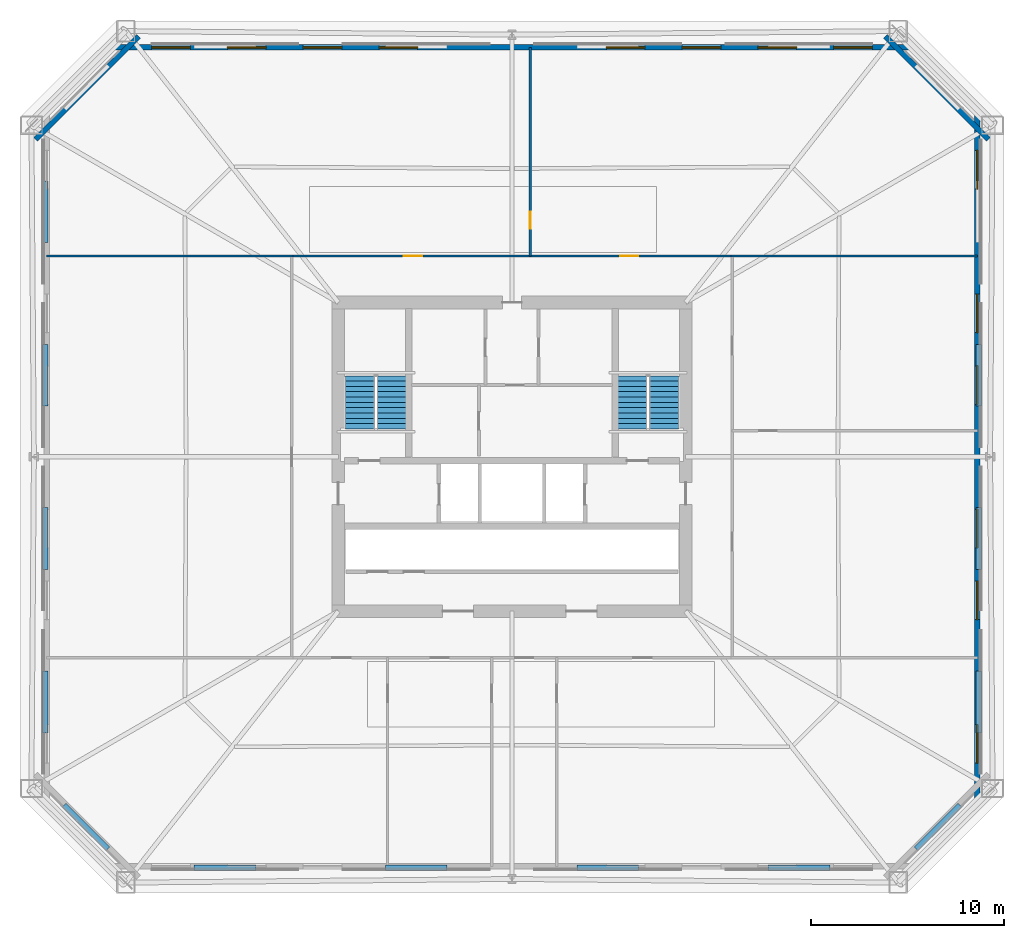
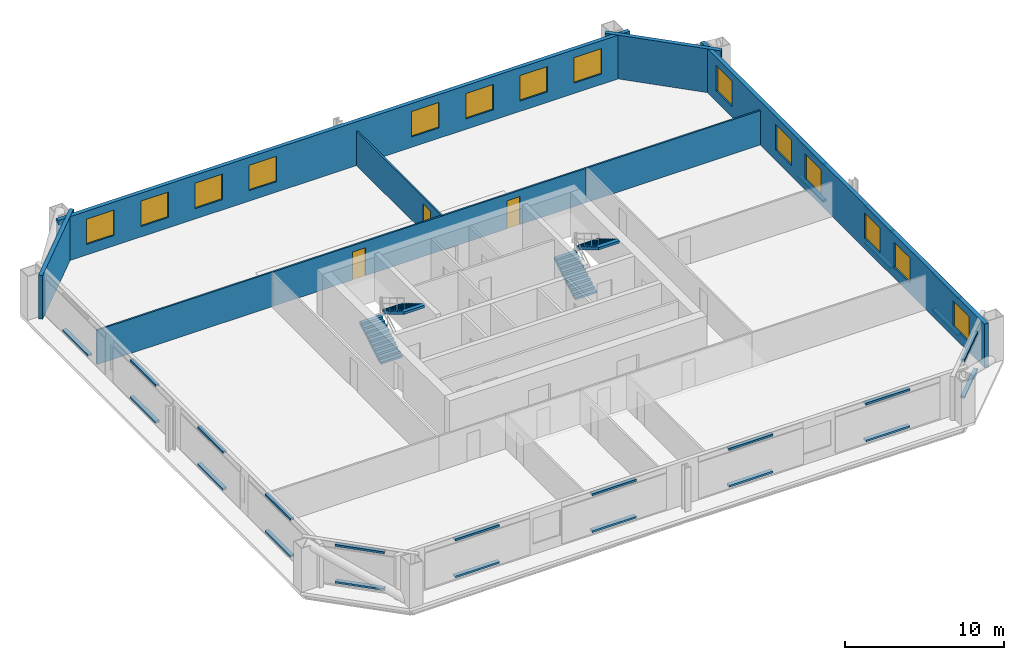
# One storey, part 6 of 9: 25 discrete accessories, 14 windows, 8 walls, 4 stair flights, 3 doors, 17 openings, 2 elements without a shape of their own.
"""IFC4 building model written with IfcOpenShell, lengths in metres."""

from ifc_helpers import new_model, si_unit, direction, frame, frame_2d, origin, origin_2d, place, context, subcontext, project, spatial, polyline, rectangle, outline, extrude, material, layer, layer_set, type_object, element, fill, aggregate, save


model = new_model("IFC4")

# Units and contexts
model_context = context("Model", 3, precision=1e-05, world=origin(), true_north=direction((0.0, 1.0)))
body_context = subcontext(model_context, "Body", "Model", "MODEL_VIEW")
ifc_project = project(units=[si_unit("LENGTHUNIT", "METRE"), si_unit("AREAUNIT", "SQUARE_METRE"), si_unit("VOLUMEUNIT", "CUBIC_METRE"), si_unit("PLANEANGLEUNIT", "RADIAN"), si_unit("MASSUNIT", "GRAM", prefix="KILO")], contexts=[model_context])

# Site, building, storey
site_placement = place(None, origin())
site = spatial("IfcSite", under=ifc_project, at=site_placement, CompositionType="ELEMENT")
building_placement = place(site_placement, origin())
building = spatial("IfcBuilding", under=site, at=building_placement, Name="Caelvoria Tower", CompositionType="ELEMENT")
storey_placement = place(building_placement, frame((0.0, 0.0, 53.199951171875)))
storey = spatial("IfcBuildingStorey", under=building, at=storey_placement, Name="L13", CompositionType="ELEMENT", Elevation=53.199951171875)

# Wall, openings, windows
ifc_material_1 = material(Name="Precast Concrete C40/50 with Bronze Cladding", Category="concrete")
ifc_layer_1 = layer(ifc_material_1, 0.280029296875, Name="Precast Concrete C40/50 with Bronze Cladding")
ifc_layer_set_1 = layer_set([ifc_layer_1], Name="Exterior Precast Concrete C40/50 Bronze-Clad Facade Wall 280 - Precast Concrete C40/50 with Bronze Cladding")
wall_type_1 = type_object("IfcWallType", Name="Exterior Precast Concrete C40/50 Bronze-Clad Facade Wall 280", PredefinedType="STANDARD", material=ifc_layer_set_1)
wall_1_placement = place(storey_placement, frame((70.1201171875, 14.159912109375, 0.0), z_axis=(0.0, 0.0, 1.0), x_axis=(0.0, 1.0, 0.0)))
wall_1 = element("IfcWall", 1, at=wall_1_placement, inside=storey, type_object=wall_type_1, Name="Exterior Facade Wall L13-E2", PredefinedType="STANDARD", context=body_context, shape_type="SweptSolid", body=[
    extrude(rectangle(XDim=35.68017578125, YDim=0.280029296875, at=frame_2d((17.840087890625, 0.0))), origin(), (0.0, 0.0, 1.0), 3.360107421875),
])
opening_1_placement = place(wall_1_placement, frame((1.9599609375, 0.0, 0.800048828125)))
opening_1 = element("IfcOpeningElement", 2, at=opening_1_placement, cuts=wall_1, Name="Opening WN-01", PredefinedType="OPENING", context=body_context, shape_type="SweptSolid", body=[
    extrude(rectangle(XDim=2.0, YDim=1.949951171875, at=frame_2d((1.0, 0.97509765625))), frame((0.0, 0.14990234375, 0.0), z_axis=(0.0, -1.0, 0.0), x_axis=(1.0, 0.0, 0.0)), (0.0, 0.0, 1.0), 0.300048828125),
])
opening_2_placement = place(wall_1_placement, frame((9.39990234375, 0.0, 0.800048828125)))
opening_2 = element("IfcOpeningElement", 3, at=opening_2_placement, cuts=wall_1, Name="Opening WN-01", PredefinedType="OPENING", context=body_context, shape_type="SweptSolid", body=[
    extrude(rectangle(XDim=2.0, YDim=1.949951171875, at=frame_2d((1.0, 0.97509765625))), frame((0.0, 0.14990234375, 0.0), z_axis=(0.0, -1.0, 0.0), x_axis=(1.0, 0.0, 0.0)), (0.0, 0.0, 1.0), 0.300048828125),
])
opening_3_placement = place(wall_1_placement, frame((13.1201171875, 0.0, 0.800048828125)))
opening_3 = element("IfcOpeningElement", 4, at=opening_3_placement, cuts=wall_1, Name="Opening WN-01", PredefinedType="OPENING", context=body_context, shape_type="SweptSolid", body=[
    extrude(rectangle(XDim=2.0, YDim=1.949951171875, at=frame_2d((1.0, 0.97509765625))), frame((0.0, 0.14990234375, 0.0), z_axis=(0.0, -1.0, 0.0), x_axis=(1.0, 0.0, 0.0)), (0.0, 0.0, 1.0), 0.300048828125),
])
opening_4_placement = place(wall_1_placement, frame((20.56005859375, 0.0, 0.800048828125)))
opening_4 = element("IfcOpeningElement", 5, at=opening_4_placement, cuts=wall_1, Name="Opening WN-01", PredefinedType="OPENING", context=body_context, shape_type="SweptSolid", body=[
    extrude(rectangle(XDim=2.0, YDim=1.949951171875, at=frame_2d((1.0, 0.97509765625))), frame((0.0, 0.14990234375, 0.0), z_axis=(0.0, -1.0, 0.0), x_axis=(1.0, 0.0, 0.0)), (0.0, 0.0, 1.0), 0.300048828125),
])
opening_5_placement = place(wall_1_placement, frame((24.280029296875, 0.0, 0.800048828125)))
opening_5 = element("IfcOpeningElement", 6, at=opening_5_placement, cuts=wall_1, Name="Opening WN-01", PredefinedType="OPENING", context=body_context, shape_type="SweptSolid", body=[
    extrude(rectangle(XDim=2.0, YDim=1.949951171875, at=frame_2d((1.0, 0.97509765625))), frame((0.0, 0.14990234375, 0.0), z_axis=(0.0, -1.0, 0.0), x_axis=(1.0, 0.0, 0.0)), (0.0, 0.0, 1.0), 0.300048828125),
])
opening_6_placement = place(wall_1_placement, frame((31.719970703125, 0.0, 0.800048828125)))
opening_6 = element("IfcOpeningElement", 7, at=opening_6_placement, cuts=wall_1, Name="Opening WN-01", PredefinedType="OPENING", context=body_context, shape_type="SweptSolid", body=[
    extrude(rectangle(XDim=2.0, YDim=1.949951171875, at=frame_2d((1.0, 0.97509765625))), frame((0.0, 0.14990234375, 0.0), z_axis=(0.0, -1.0, 0.0), x_axis=(1.0, 0.0, 0.0)), (0.0, 0.0, 1.0), 0.300048828125),
])
ifc_material_2 = material(Name="Low-E Tinted Glass in Bronze Aluminium Frame", Category="aluminium")
window_type = type_object("IfcWindowType", Name="Tower Office Vision Window 2000x1950", PartitioningType="SINGLE_PANEL", PredefinedType="WINDOW", material=ifc_material_2)
window_1_placement = place(opening_1_placement, origin())
window_1 = element("IfcWindow", 8, at=window_1_placement, inside=storey, type_object=window_type, Name="Facade Window L13-E2-00", OverallHeight=1.949951171875, OverallWidth=2.0, PartitioningType="SINGLE_PANEL", PredefinedType="WINDOW", context=body_context, shape_type="SweptSolid", body=[
    extrude(rectangle(XDim=2.0, YDim=1.949951171875, at=frame_2d((1.0, 0.97509765625))), frame((0.0, 0.030029296875, 0.0), z_axis=(0.0, -1.0, 0.0), x_axis=(1.0, 0.0, 0.0)), (0.0, 0.0, 1.0), 0.06005859375),
])
fill(opening_1, window_1)
window_2_placement = place(opening_2_placement, origin())
window_2 = element("IfcWindow", 9, at=window_2_placement, inside=storey, type_object=window_type, Name="Facade Window L13-E2-02", OverallHeight=1.949951171875, OverallWidth=2.0, PartitioningType="SINGLE_PANEL", PredefinedType="WINDOW", context=body_context, shape_type="SweptSolid", body=[
    extrude(rectangle(XDim=2.0, YDim=1.949951171875, at=frame_2d((1.0, 0.97509765625))), frame((0.0, 0.030029296875, 0.0), z_axis=(0.0, -1.0, 0.0), x_axis=(1.0, 0.0, 0.0)), (0.0, 0.0, 1.0), 0.06005859375),
])
fill(opening_2, window_2)
window_3_placement = place(opening_3_placement, origin())
window_3 = element("IfcWindow", 10, at=window_3_placement, inside=storey, type_object=window_type, Name="Facade Window L13-E2-03", OverallHeight=1.949951171875, OverallWidth=2.0, PartitioningType="SINGLE_PANEL", PredefinedType="WINDOW", context=body_context, shape_type="SweptSolid", body=[
    extrude(rectangle(XDim=2.0, YDim=1.949951171875, at=frame_2d((1.0, 0.97509765625))), frame((0.0, 0.030029296875, 0.0), z_axis=(0.0, -1.0, 0.0), x_axis=(1.0, 0.0, 0.0)), (0.0, 0.0, 1.0), 0.06005859375),
])
fill(opening_3, window_3)
window_4_placement = place(opening_4_placement, origin())
window_4 = element("IfcWindow", 11, at=window_4_placement, inside=storey, type_object=window_type, Name="Facade Window L13-E2-05", OverallHeight=1.949951171875, OverallWidth=2.0, PartitioningType="SINGLE_PANEL", PredefinedType="WINDOW", context=body_context, shape_type="SweptSolid", body=[
    extrude(rectangle(XDim=2.0, YDim=1.949951171875, at=frame_2d((1.0, 0.97509765625))), frame((0.0, 0.030029296875, 0.0), z_axis=(0.0, -1.0, 0.0), x_axis=(1.0, 0.0, 0.0)), (0.0, 0.0, 1.0), 0.06005859375),
])
fill(opening_4, window_4)
window_5_placement = place(opening_5_placement, origin())
window_5 = element("IfcWindow", 12, at=window_5_placement, inside=storey, type_object=window_type, Name="Facade Window L13-E2-06", OverallHeight=1.949951171875, OverallWidth=2.0, PartitioningType="SINGLE_PANEL", PredefinedType="WINDOW", context=body_context, shape_type="SweptSolid", body=[
    extrude(rectangle(XDim=2.0, YDim=1.949951171875, at=frame_2d((1.0, 0.97509765625))), frame((0.0, 0.030029296875, 0.0), z_axis=(0.0, -1.0, 0.0), x_axis=(1.0, 0.0, 0.0)), (0.0, 0.0, 1.0), 0.06005859375),
])
fill(opening_5, window_5)
window_6_placement = place(opening_6_placement, origin())
window_6 = element("IfcWindow", 13, at=window_6_placement, inside=storey, type_object=window_type, Name="Facade Window L13-E2-08", OverallHeight=1.949951171875, OverallWidth=2.0, PartitioningType="SINGLE_PANEL", PredefinedType="WINDOW", context=body_context, shape_type="SweptSolid", body=[
    extrude(rectangle(XDim=2.0, YDim=1.949951171875, at=frame_2d((1.0, 0.97509765625))), frame((0.0, 0.030029296875, 0.0), z_axis=(0.0, -1.0, 0.0), x_axis=(1.0, 0.0, 0.0)), (0.0, 0.0, 1.0), 0.06005859375),
])
fill(opening_6, window_6)

# Wall
wall_2_placement = place(storey_placement, frame((70.69384765625, 48.45458984375, 0.0), z_axis=(0.0, 0.0, 1.0), x_axis=(-0.707106781187, 0.707106781187, 0.0)))
element("IfcWall", 14, at=wall_2_placement, inside=storey, type_object=wall_type_1, Name="Exterior Facade Wall L13-E3", PredefinedType="STANDARD", context=body_context, shape_type="SweptSolid", body=[
    extrude(rectangle(XDim=7.551025390625, YDim=0.280029296875, at=frame_2d((3.775390625, 0.0))), origin(), (0.0, 0.0, 1.0), 3.360107421875),
])

# Wall, openings, windows
wall_3_placement = place(storey_placement, frame((66.739990234375, 53.219970703125, 0.0), z_axis=(0.0, 0.0, 1.0), x_axis=(-1.0, 0.0, 0.0)))
wall_3 = element("IfcWall", 15, at=wall_3_placement, inside=storey, type_object=wall_type_1, Name="Exterior Facade Wall L13-E4", PredefinedType="STANDARD", context=body_context, shape_type="SweptSolid", body=[
    extrude(rectangle(XDim=41.47998046875, YDim=0.280029296875, at=frame_2d((20.739990234375, 0.0))), origin(), (0.0, 0.0, 1.0), 3.360107421875),
])
opening_7_placement = place(wall_3_placement, frame((2.06396484375, 0.0, 0.800048828125)))
opening_7 = element("IfcOpeningElement", 16, at=opening_7_placement, cuts=wall_3, Name="Opening WN-01", PredefinedType="OPENING", context=body_context, shape_type="SweptSolid", body=[
    extrude(rectangle(XDim=2.0, YDim=1.949951171875, at=frame_2d((1.0, 0.97509765625))), frame((0.0, 0.14990234375, 0.0), z_axis=(0.0, -1.0, 0.0), x_axis=(1.0, 0.0, 0.0)), (0.0, 0.0, 1.0), 0.300048828125),
])
opening_8_placement = place(wall_3_placement, frame((5.991943359375, 0.0, 0.800048828125)))
opening_8 = element("IfcOpeningElement", 17, at=opening_8_placement, cuts=wall_3, Name="Opening WN-01", PredefinedType="OPENING", context=body_context, shape_type="SweptSolid", body=[
    extrude(rectangle(XDim=2.0, YDim=1.949951171875, at=frame_2d((1.0, 0.97509765625))), frame((0.0, 0.14990234375, 0.0), z_axis=(0.0, -1.0, 0.0), x_axis=(1.0, 0.0, 0.0)), (0.0, 0.0, 1.0), 0.300048828125),
])
opening_9_placement = place(wall_3_placement, frame((9.919921875, 0.0, 0.800048828125)))
opening_9 = element("IfcOpeningElement", 18, at=opening_9_placement, cuts=wall_3, Name="Opening WN-01", PredefinedType="OPENING", context=body_context, shape_type="SweptSolid", body=[
    extrude(rectangle(XDim=2.0, YDim=1.949951171875, at=frame_2d((1.0, 0.97509765625))), frame((0.0, 0.14990234375, 0.0), z_axis=(0.0, -1.0, 0.0), x_axis=(1.0, 0.0, 0.0)), (0.0, 0.0, 1.0), 0.300048828125),
])
opening_10_placement = place(wall_3_placement, frame((13.847900390625, 0.0, 0.800048828125)))
opening_10 = element("IfcOpeningElement", 19, at=opening_10_placement, cuts=wall_3, Name="Opening WN-01", PredefinedType="OPENING", context=body_context, shape_type="SweptSolid", body=[
    extrude(rectangle(XDim=2.0, YDim=1.949951171875, at=frame_2d((1.0, 0.97509765625))), frame((0.0, 0.14990234375, 0.0), z_axis=(0.0, -1.0, 0.0), x_axis=(1.0, 0.0, 0.0)), (0.0, 0.0, 1.0), 0.300048828125),
])
opening_11_placement = place(wall_3_placement, frame((25.632080078125, 0.0, 0.800048828125)))
opening_11 = element("IfcOpeningElement", 20, at=opening_11_placement, cuts=wall_3, Name="Opening WN-01", PredefinedType="OPENING", context=body_context, shape_type="SweptSolid", body=[
    extrude(rectangle(XDim=2.0, YDim=1.949951171875, at=frame_2d((1.0, 0.97509765625))), frame((0.0, 0.14990234375, 0.0), z_axis=(0.0, -1.0, 0.0), x_axis=(1.0, 0.0, 0.0)), (0.0, 0.0, 1.0), 0.300048828125),
])
opening_12_placement = place(wall_3_placement, frame((29.56005859375, 0.0, 0.800048828125)))
opening_12 = element("IfcOpeningElement", 21, at=opening_12_placement, cuts=wall_3, Name="Opening WN-01", PredefinedType="OPENING", context=body_context, shape_type="SweptSolid", body=[
    extrude(rectangle(XDim=2.0, YDim=1.949951171875, at=frame_2d((1.0, 0.97509765625))), frame((0.0, 0.14990234375, 0.0), z_axis=(0.0, -1.0, 0.0), x_axis=(1.0, 0.0, 0.0)), (0.0, 0.0, 1.0), 0.300048828125),
])
opening_13_placement = place(wall_3_placement, frame((33.488037109375, 0.0, 0.800048828125)))
opening_13 = element("IfcOpeningElement", 22, at=opening_13_placement, cuts=wall_3, Name="Opening WN-01", PredefinedType="OPENING", context=body_context, shape_type="SweptSolid", body=[
    extrude(rectangle(XDim=2.0, YDim=1.949951171875, at=frame_2d((1.0, 0.97509765625))), frame((0.0, 0.14990234375, 0.0), z_axis=(0.0, -1.0, 0.0), x_axis=(1.0, 0.0, 0.0)), (0.0, 0.0, 1.0), 0.300048828125),
])
opening_14_placement = place(wall_3_placement, frame((37.416015625, 0.0, 0.800048828125)))
opening_14 = element("IfcOpeningElement", 23, at=opening_14_placement, cuts=wall_3, Name="Opening WN-01", PredefinedType="OPENING", context=body_context, shape_type="SweptSolid", body=[
    extrude(rectangle(XDim=2.0, YDim=1.949951171875, at=frame_2d((1.0, 0.97509765625))), frame((0.0, 0.14990234375, 0.0), z_axis=(0.0, -1.0, 0.0), x_axis=(1.0, 0.0, 0.0)), (0.0, 0.0, 1.0), 0.300048828125),
])
window_7_placement = place(opening_7_placement, origin())
window_7 = element("IfcWindow", 24, at=window_7_placement, inside=storey, type_object=window_type, Name="Facade Window L13-E4-00", OverallHeight=1.949951171875, OverallWidth=2.0, PartitioningType="SINGLE_PANEL", PredefinedType="WINDOW", context=body_context, shape_type="SweptSolid", body=[
    extrude(rectangle(XDim=2.0, YDim=1.949951171875, at=frame_2d((1.0, 0.97509765625))), frame((0.0, 0.030029296875, 0.0), z_axis=(0.0, -1.0, 0.0), x_axis=(1.0, 0.0, 0.0)), (0.0, 0.0, 1.0), 0.06005859375),
])
fill(opening_7, window_7)
window_8_placement = place(opening_8_placement, origin())
window_8 = element("IfcWindow", 25, at=window_8_placement, inside=storey, type_object=window_type, Name="Facade Window L13-E4-01", OverallHeight=1.949951171875, OverallWidth=2.0, PartitioningType="SINGLE_PANEL", PredefinedType="WINDOW", context=body_context, shape_type="SweptSolid", body=[
    extrude(rectangle(XDim=2.0, YDim=1.949951171875, at=frame_2d((1.0, 0.97509765625))), frame((0.0, 0.030029296875, 0.0), z_axis=(0.0, -1.0, 0.0), x_axis=(1.0, 0.0, 0.0)), (0.0, 0.0, 1.0), 0.06005859375),
])
fill(opening_8, window_8)
window_9_placement = place(opening_9_placement, origin())
window_9 = element("IfcWindow", 26, at=window_9_placement, inside=storey, type_object=window_type, Name="Facade Window L13-E4-02", OverallHeight=1.949951171875, OverallWidth=2.0, PartitioningType="SINGLE_PANEL", PredefinedType="WINDOW", context=body_context, shape_type="SweptSolid", body=[
    extrude(rectangle(XDim=2.0, YDim=1.949951171875, at=frame_2d((1.0, 0.97509765625))), frame((0.0, 0.030029296875, 0.0), z_axis=(0.0, -1.0, 0.0), x_axis=(1.0, 0.0, 0.0)), (0.0, 0.0, 1.0), 0.06005859375),
])
fill(opening_9, window_9)
window_10_placement = place(opening_10_placement, origin())
window_10 = element("IfcWindow", 27, at=window_10_placement, inside=storey, type_object=window_type, Name="Facade Window L13-E4-03", OverallHeight=1.949951171875, OverallWidth=2.0, PartitioningType="SINGLE_PANEL", PredefinedType="WINDOW", context=body_context, shape_type="SweptSolid", body=[
    extrude(rectangle(XDim=2.0, YDim=1.949951171875, at=frame_2d((1.0, 0.97509765625))), frame((0.0, 0.030029296875, 0.0), z_axis=(0.0, -1.0, 0.0), x_axis=(1.0, 0.0, 0.0)), (0.0, 0.0, 1.0), 0.06005859375),
])
fill(opening_10, window_10)
window_11_placement = place(opening_11_placement, origin())
window_11 = element("IfcWindow", 28, at=window_11_placement, inside=storey, type_object=window_type, Name="Facade Window L13-E4-06", OverallHeight=1.949951171875, OverallWidth=2.0, PartitioningType="SINGLE_PANEL", PredefinedType="WINDOW", context=body_context, shape_type="SweptSolid", body=[
    extrude(rectangle(XDim=2.0, YDim=1.949951171875, at=frame_2d((1.0, 0.97509765625))), frame((0.0, 0.030029296875, 0.0), z_axis=(0.0, -1.0, 0.0), x_axis=(1.0, 0.0, 0.0)), (0.0, 0.0, 1.0), 0.06005859375),
])
fill(opening_11, window_11)
window_12_placement = place(opening_12_placement, origin())
window_12 = element("IfcWindow", 29, at=window_12_placement, inside=storey, type_object=window_type, Name="Facade Window L13-E4-07", OverallHeight=1.949951171875, OverallWidth=2.0, PartitioningType="SINGLE_PANEL", PredefinedType="WINDOW", context=body_context, shape_type="SweptSolid", body=[
    extrude(rectangle(XDim=2.0, YDim=1.949951171875, at=frame_2d((1.0, 0.97509765625))), frame((0.0, 0.030029296875, 0.0), z_axis=(0.0, -1.0, 0.0), x_axis=(1.0, 0.0, 0.0)), (0.0, 0.0, 1.0), 0.06005859375),
])
fill(opening_12, window_12)
window_13_placement = place(opening_13_placement, origin())
window_13 = element("IfcWindow", 30, at=window_13_placement, inside=storey, type_object=window_type, Name="Facade Window L13-E4-08", OverallHeight=1.949951171875, OverallWidth=2.0, PartitioningType="SINGLE_PANEL", PredefinedType="WINDOW", context=body_context, shape_type="SweptSolid", body=[
    extrude(rectangle(XDim=2.0, YDim=1.949951171875, at=frame_2d((1.0, 0.97509765625))), frame((0.0, 0.030029296875, 0.0), z_axis=(0.0, -1.0, 0.0), x_axis=(1.0, 0.0, 0.0)), (0.0, 0.0, 1.0), 0.06005859375),
])
fill(opening_13, window_13)
window_14_placement = place(opening_14_placement, origin())
window_14 = element("IfcWindow", 31, at=window_14_placement, inside=storey, type_object=window_type, Name="Facade Window L13-E4-09", OverallHeight=1.949951171875, OverallWidth=2.0, PartitioningType="SINGLE_PANEL", PredefinedType="WINDOW", context=body_context, shape_type="SweptSolid", body=[
    extrude(rectangle(XDim=2.0, YDim=1.949951171875, at=frame_2d((1.0, 0.97509765625))), frame((0.0, 0.030029296875, 0.0), z_axis=(0.0, -1.0, 0.0), x_axis=(1.0, 0.0, 0.0)), (0.0, 0.0, 1.0), 0.06005859375),
])
fill(opening_14, window_14)

# Wall
wall_4_placement = place(storey_placement, frame((26.6455078125, 53.7939453125, 0.0), z_axis=(0.0, 0.0, 1.0), x_axis=(-0.707106781187, -0.707106781187, 0.0)))
element("IfcWall", 32, at=wall_4_placement, inside=storey, type_object=wall_type_1, Name="Exterior Facade Wall L13-E5", PredefinedType="STANDARD", context=body_context, shape_type="SweptSolid", body=[
    extrude(rectangle(XDim=7.551025390625, YDim=0.280029296875, at=frame_2d((3.775390625, 0.0))), origin(), (0.0, 0.0, 1.0), 3.360107421875),
])

# Wall, opening, door
ifc_material_3 = material(Name="Acoustic Gypsum Board on Light-Gauge Stud", Category="gypsum")
ifc_layer_2 = layer(ifc_material_3, 0.1201171875, Name="Acoustic Gypsum Board on Light-Gauge Stud")
ifc_layer_set_2 = layer_set([ifc_layer_2], Name="Tenant Suite Acoustic Partition Wall 120 - Acoustic Gypsum Board on Light-Gauge Stud")
wall_type_2 = type_object("IfcWallType", Name="Tenant Suite Acoustic Partition Wall 120", PredefinedType="PARTITIONING", material=ifc_layer_set_2)
wall_5_placement = place(storey_placement, frame((46.9501953125, 42.409912109375, 0.0), z_axis=(0.0, 0.0, 1.0), x_axis=(0.0, 1.0, 0.0)))
wall_5 = element("IfcWall", 33, at=wall_5_placement, inside=storey, type_object=wall_type_2, Name="Interior Partition IW-L13-ND-00-0", PredefinedType="PARTITIONING", context=body_context, shape_type="SweptSolid", body=[
    extrude(rectangle(XDim=10.81005859375, YDim=0.1201171875, at=frame_2d((5.405029296875, 0.0))), origin(), (0.0, 0.0, 1.0), 2.64013671875),
])
opening_15_placement = place(wall_5_placement, frame((1.39990234375, 0.0, 0.0)))
opening_15 = element("IfcOpeningElement", 34, at=opening_15_placement, cuts=wall_5, Name="Opening ID-06", PredefinedType="OPENING", context=body_context, shape_type="SweptSolid", body=[
    extrude(rectangle(XDim=0.89990234375, YDim=2.14990234375, at=frame_2d((0.449951171875, 1.074951171875))), frame((0.0, 0.070068359375, 0.0), z_axis=(0.0, -1.0, 0.0), x_axis=(1.0, 0.0, 0.0)), (0.0, 0.0, 1.0), 0.14013671875),
])
ifc_material_4 = material(Name="Engineered Andean Oak Veneer Door", Category="wood")
door_type_1 = type_object("IfcDoorType", Name="Interior Timber Door 900x2150", OperationType="NOTDEFINED", PredefinedType="DOOR", material=ifc_material_4)
door_1_placement = place(opening_15_placement, origin())
door_1 = element("IfcDoor", 35, at=door_1_placement, inside=storey, type_object=door_type_1, Name="Interior Door DR-L13-NM-00-0", OperationType="SINGLE_SWING_RIGHT", OverallHeight=2.14990234375, OverallWidth=0.89990234375, PredefinedType="DOOR", context=body_context, shape_type="SweptSolid", body=[
    extrude(rectangle(XDim=0.89990234375, YDim=2.14990234375, at=frame_2d((0.449951171875, 1.074951171875))), frame((0.0, 0.02490234375, 0.0), z_axis=(0.0, -1.0, 0.0), x_axis=(1.0, 0.0, 0.0)), (0.0, 0.0, 1.0), 0.050048828125),
])
fill(opening_15, door_1)

# Wall, openings, doors
wall_6_placement = place(storey_placement, frame((34.64990234375, 42.409912109375, 0.0), z_axis=(0.0, 0.0, 1.0), x_axis=(1.0, 0.0, 0.0)))
wall_6 = element("IfcWall", 36, at=wall_6_placement, inside=storey, type_object=wall_type_2, Name="Interior Partition IW-L13-NCW-0", PredefinedType="PARTITIONING", context=body_context, shape_type="SweptSolid", body=[
    extrude(rectangle(XDim=22.7001953125, YDim=0.1201171875, at=frame_2d((11.35009765625, 0.0))), origin(), (0.0, 0.0, 1.0), 2.64013671875),
])
opening_16_placement = place(wall_6_placement, frame((5.7451171875, 0.0, 0.0)))
opening_16 = element("IfcOpeningElement", 37, at=opening_16_placement, cuts=wall_6, Name="Opening ID-05", PredefinedType="OPENING", context=body_context, shape_type="SweptSolid", body=[
    extrude(rectangle(XDim=0.949951171875, YDim=2.14990234375, at=frame_2d((0.47509765625, 1.074951171875))), frame((0.0, 0.070068359375, 0.0), z_axis=(0.0, -1.0, 0.0), x_axis=(1.0, 0.0, 0.0)), (0.0, 0.0, 1.0), 0.14013671875),
])
opening_17_placement = place(wall_6_placement, frame((16.955078125, 0.0, 0.0)))
opening_17 = element("IfcOpeningElement", 38, at=opening_17_placement, cuts=wall_6, Name="Opening ID-05", PredefinedType="OPENING", context=body_context, shape_type="SweptSolid", body=[
    extrude(rectangle(XDim=0.949951171875, YDim=2.14990234375, at=frame_2d((0.47509765625, 1.074951171875))), frame((0.0, 0.070068359375, 0.0), z_axis=(0.0, -1.0, 0.0), x_axis=(1.0, 0.0, 0.0)), (0.0, 0.0, 1.0), 0.14013671875),
])
door_type_2 = type_object("IfcDoorType", Name="Interior Timber Door 950x2150", OperationType="NOTDEFINED", PredefinedType="DOOR", material=ifc_material_4)
door_2_placement = place(opening_16_placement, origin())
door_2 = element("IfcDoor", 39, at=door_2_placement, inside=storey, type_object=door_type_2, Name="Interior Door DR-L13-NC-00-0", OperationType="SINGLE_SWING_RIGHT", OverallHeight=2.14990234375, OverallWidth=0.949951171875, PredefinedType="DOOR", context=body_context, shape_type="SweptSolid", body=[
    extrude(rectangle(XDim=0.949951171875, YDim=2.14990234375, at=frame_2d((0.47509765625, 1.074951171875))), frame((0.0, 0.02490234375, 0.0), z_axis=(0.0, -1.0, 0.0), x_axis=(1.0, 0.0, 0.0)), (0.0, 0.0, 1.0), 0.050048828125),
])
fill(opening_16, door_2)
door_3_placement = place(opening_17_placement, origin())
door_3 = element("IfcDoor", 40, at=door_3_placement, inside=storey, type_object=door_type_2, Name="Interior Door DR-L13-NC-01-0", OperationType="SINGLE_SWING_LEFT", OverallHeight=2.14990234375, OverallWidth=0.949951171875, PredefinedType="DOOR", context=body_context, shape_type="SweptSolid", body=[
    extrude(rectangle(XDim=0.949951171875, YDim=2.14990234375, at=frame_2d((0.47509765625, 1.074951171875))), frame((0.0, 0.02490234375, 0.0), z_axis=(0.0, -1.0, 0.0), x_axis=(1.0, 0.0, 0.0)), (0.0, 0.0, 1.0), 0.050048828125),
])
fill(opening_17, door_3)

# Walls
for number, where, z_axis, x_axis, name in (
    (41, (34.64990234375, 42.409912109375, 0.0), (0.0, 0.0, 1.0), (-1.0, 0.0, 0.0), "Interior Partition IW-L13-BNW-0"),
    (42, (57.35009765625, 42.409912109375, 0.0), (0.0, 0.0, 1.0), (1.0, 0.0, 0.0), "Interior Partition IW-L13-BNE-0"),
):
    element("IfcWall", number, at=place(storey_placement, frame(where, z_axis=z_axis, x_axis=x_axis)), inside=storey, type_object=wall_type_2, Name=name, PredefinedType="PARTITIONING", context=body_context, shape_type="SweptSolid", body=[
        extrude(rectangle(XDim=12.77001953125, YDim=0.1201171875, at=frame_2d((6.385009765625, 0.0))), origin(), (0.0, 0.0, 1.0), 2.64013671875),
    ])

# Stair, stair flights
ifc_material_5 = material(Name="Concrete C40/50", Category="concrete")
stair_type = type_object("IfcStairType", Name="Core Smokeproof Dogleg Stair Concrete C40/50", PredefinedType="HALF_TURN_STAIR", material=ifc_material_5)
stair_1_placement = place(storey_placement, origin())
stair_1 = element("IfcStair", 43, at=stair_1_placement, inside=storey, type_object=stair_type, Name="ST-01 Smokeproof Exit Stair L13", PredefinedType="HALF_TURN_STAIR")
ifc_material_6 = material(Name="Precast Concrete C40/50", Category="concrete")
stair_flight_type = type_object("IfcStairFlightType", Name="Precast Concrete C40/50 Stair Flight 1480", PredefinedType="STRAIGHT", material=ifc_material_6)
stair_flight_1_placement = place(storey_placement, frame((38.1298828125, 33.449951171875, 0.0), z_axis=(0.0, 0.0, 1.0), x_axis=(0.0, 1.0, 0.0)))
stair_flight_1 = element("IfcStairFlight", 44, at=stair_flight_1_placement, type_object=stair_flight_type, Name="ST-01 flight 1", NumberOfRisers=11, NumberOfTreads=10, PredefinedType="STRAIGHT", RiserHeight=0.1636, TreadLength=0.275, context=body_context, shape_type="SweptSolid", body=[
    extrude(outline(polyline([(0.0, 0.0), (0.0, 0.16357421875), (0.27490234375, 0.16357421875), (0.27490234375, 0.3271484375), (0.550048828125, 0.3271484375), (0.550048828125, 0.49072265625), (0.824951171875, 0.49072265625), (0.824951171875, 0.654296875), (1.10009765625, 0.654296875), (1.10009765625, 0.818115234375), (1.375, 0.818115234375), (1.375, 0.981689453125), (1.64990234375, 0.981689453125), (1.64990234375, 1.145263671875), (1.925048828125, 1.145263671875), (1.925048828125, 1.308837890625), (2.199951171875, 1.308837890625), (2.199951171875, 1.472412109375), (2.47509765625, 1.472412109375), (2.47509765625, 1.635986328125), (2.75, 1.635986328125), (2.75, 1.799560546875), (2.75, 1.449951171875), (0.312744140625, 0.0), (0.0, 0.0)])), frame((0.0, 0.77001953125, 0.0), z_axis=(0.0, -1.0, 0.0), x_axis=(1.0, 0.0, 0.0)), (0.0, 0.0, 1.0), 1.5400390625),
])
stair_flight_2_placement = place(storey_placement, frame((39.77001953125, 36.199951171875, 1.800048828125), z_axis=(0.0, 0.0, 1.0), x_axis=(0.0, -1.0, 0.0)))
stair_flight_2 = element("IfcStairFlight", 45, at=stair_flight_2_placement, type_object=stair_flight_type, Name="ST-01 flight 2", NumberOfRisers=11, NumberOfTreads=10, PredefinedType="STRAIGHT", RiserHeight=0.1636, TreadLength=0.275, context=body_context, shape_type="SweptSolid", body=[
    extrude(outline(polyline([(0.0, 0.0), (0.0, 0.16357421875), (0.27490234375, 0.16357421875), (0.27490234375, 0.3271484375), (0.550048828125, 0.3271484375), (0.550048828125, 0.49072265625), (0.824951171875, 0.49072265625), (0.824951171875, 0.654296875), (1.10009765625, 0.654296875), (1.10009765625, 0.818115234375), (1.375, 0.818115234375), (1.375, 0.981689453125), (1.64990234375, 0.981689453125), (1.64990234375, 1.145263671875), (1.925048828125, 1.145263671875), (1.925048828125, 1.308837890625), (2.199951171875, 1.308837890625), (2.199951171875, 1.472412109375), (2.47509765625, 1.472412109375), (2.47509765625, 1.635986328125), (2.75, 1.635986328125), (2.75, 1.799560546875), (2.75, 1.449951171875), (0.312744140625, 0.0), (0.0, 0.0)])), frame((0.0, 0.77001953125, 0.0), z_axis=(0.0, -1.0, 0.0), x_axis=(1.0, 0.0, 0.0)), (0.0, 0.0, 1.0), 1.5400390625),
])
aggregate(stair_1, [stair_flight_1, stair_flight_2])

stair_2_placement = place(storey_placement, origin())
stair_2 = element("IfcStair", 46, at=stair_2_placement, inside=storey, type_object=stair_type, Name="ST-02 Smokeproof Exit Stair L13", PredefinedType="HALF_TURN_STAIR")
stair_flight_3_placement = place(storey_placement, frame((52.22998046875, 33.449951171875, 0.0), z_axis=(0.0, 0.0, 1.0), x_axis=(0.0, 1.0, 0.0)))
stair_flight_3 = element("IfcStairFlight", 47, at=stair_flight_3_placement, type_object=stair_flight_type, Name="ST-02 flight 1", NumberOfRisers=11, NumberOfTreads=10, PredefinedType="STRAIGHT", RiserHeight=0.1636, TreadLength=0.275, context=body_context, shape_type="SweptSolid", body=[
    extrude(outline(polyline([(0.0, 0.0), (0.0, 0.16357421875), (0.27490234375, 0.16357421875), (0.27490234375, 0.3271484375), (0.550048828125, 0.3271484375), (0.550048828125, 0.49072265625), (0.824951171875, 0.49072265625), (0.824951171875, 0.654296875), (1.10009765625, 0.654296875), (1.10009765625, 0.818115234375), (1.375, 0.818115234375), (1.375, 0.981689453125), (1.64990234375, 0.981689453125), (1.64990234375, 1.145263671875), (1.925048828125, 1.145263671875), (1.925048828125, 1.308837890625), (2.199951171875, 1.308837890625), (2.199951171875, 1.472412109375), (2.47509765625, 1.472412109375), (2.47509765625, 1.635986328125), (2.75, 1.635986328125), (2.75, 1.799560546875), (2.75, 1.449951171875), (0.312744140625, 0.0), (0.0, 0.0)])), frame((0.0, 0.77001953125, 0.0), z_axis=(0.0, -1.0, 0.0), x_axis=(1.0, 0.0, 0.0)), (0.0, 0.0, 1.0), 1.5400390625),
])
stair_flight_4_placement = place(storey_placement, frame((53.8701171875, 36.199951171875, 1.800048828125), z_axis=(0.0, 0.0, 1.0), x_axis=(0.0, -1.0, 0.0)))
stair_flight_4 = element("IfcStairFlight", 48, at=stair_flight_4_placement, type_object=stair_flight_type, Name="ST-02 flight 2", NumberOfRisers=11, NumberOfTreads=10, PredefinedType="STRAIGHT", RiserHeight=0.1636, TreadLength=0.275, context=body_context, shape_type="SweptSolid", body=[
    extrude(outline(polyline([(0.0, 0.0), (0.0, 0.16357421875), (0.27490234375, 0.16357421875), (0.27490234375, 0.3271484375), (0.550048828125, 0.3271484375), (0.550048828125, 0.49072265625), (0.824951171875, 0.49072265625), (0.824951171875, 0.654296875), (1.10009765625, 0.654296875), (1.10009765625, 0.818115234375), (1.375, 0.818115234375), (1.375, 0.981689453125), (1.64990234375, 0.981689453125), (1.64990234375, 1.145263671875), (1.925048828125, 1.145263671875), (1.925048828125, 1.308837890625), (2.199951171875, 1.308837890625), (2.199951171875, 1.472412109375), (2.47509765625, 1.472412109375), (2.47509765625, 1.635986328125), (2.75, 1.635986328125), (2.75, 1.799560546875), (2.75, 1.449951171875), (0.312744140625, 0.0), (0.0, 0.0)])), frame((0.0, 0.77001953125, 0.0), z_axis=(0.0, -1.0, 0.0), x_axis=(1.0, 0.0, 0.0)), (0.0, 0.0, 1.0), 1.5400390625),
])
aggregate(stair_2, [stair_flight_3, stair_flight_4])

# Discrete accessories
ifc_material_7 = material(Name="Anodised Bronze Stainless Bracket", Category="bronze")
discrete_accessory_type = type_object("IfcDiscreteAccessoryType", Name="Solar Screen Outrigger Support Bracket", PredefinedType="BRACKET", material=ifc_material_7)
for number, where, z_axis, x_axis, name in (
    (49, (31.1201171875, 10.702880859375, 0.240234375), (0.0, 0.0, 1.0), (1.0, 0.0, 0.0), "Solar Screen Bracket L13-E0-00"),
    (50, (31.1201171875, 10.702880859375, 3.06005859375), (0.0, 0.0, 1.0), (1.0, 0.0, 0.0), "Upper Screen Band Bracket L13-E0-00"),
    (51, (41.0400390625, 10.702880859375, 0.240234375), (0.0, 0.0, 1.0), (1.0, 0.0, 0.0), "Solar Screen Bracket L13-E0-01"),
    (52, (41.0400390625, 10.702880859375, 3.06005859375), (0.0, 0.0, 1.0), (1.0, 0.0, 0.0), "Upper Screen Band Bracket L13-E0-01"),
    (53, (50.9599609375, 10.702880859375, 0.240234375), (0.0, 0.0, 1.0), (1.0, 0.0, 0.0), "Solar Screen Bracket L13-E0-02"),
    (54, (50.9599609375, 10.702880859375, 3.06005859375), (0.0, 0.0, 1.0), (1.0, 0.0, 0.0), "Upper Screen Band Bracket L13-E0-02"),
    (55, (60.8798828125, 10.702880859375, 0.240234375), (0.0, 0.0, 1.0), (1.0, 0.0, 0.0), "Solar Screen Bracket L13-E0-03"),
    (56, (60.8798828125, 10.702880859375, 3.06005859375), (0.0, 0.0, 1.0), (1.0, 0.0, 0.0), "Upper Screen Band Bracket L13-E0-03"),
    (57, (68.07861328125, 12.8212890625, 0.240234375), (0.0, 0.0, 1.0), (0.707106781187, 0.707106781187, 0.0), "Solar Screen Bracket L13-E1-00"),
    (58, (68.07861328125, 12.8212890625, 3.06005859375), (0.0, 0.0, 1.0), (0.707106781187, 0.707106781187, 0.0), "Upper Screen Band Bracket L13-E1-00"),
    (59, (70.197021484375, 19.294921875, 0.240234375), (0.0, 0.0, 1.0), (0.0, 1.0, 0.0), "Solar Screen Bracket L13-E2-00"),
    (60, (70.197021484375, 19.294921875, 3.06005859375), (0.0, 0.0, 1.0), (0.0, 1.0, 0.0), "Upper Screen Band Bracket L13-E2-00"),
    (61, (70.197021484375, 27.764892578125, 0.240234375), (0.0, 0.0, 1.0), (0.0, 1.0, 0.0), "Solar Screen Bracket L13-E2-01"),
    (62, (70.197021484375, 27.764892578125, 3.06005859375), (0.0, 0.0, 1.0), (0.0, 1.0, 0.0), "Upper Screen Band Bracket L13-E2-01"),
    (63, (70.197021484375, 36.235107421875, 0.240234375), (0.0, 0.0, 1.0), (0.0, 1.0, 0.0), "Solar Screen Bracket L13-E2-02"),
    (64, (70.197021484375, 36.235107421875, 3.06005859375), (0.0, 0.0, 1.0), (0.0, 1.0, 0.0), "Upper Screen Band Bracket L13-E2-02"),
    (65, (21.802978515625, 44.705078125, 0.240234375), (0.0, 0.0, 1.0), (0.0, -1.0, 0.0), "Solar Screen Bracket L13-E6-00"),
    (66, (21.802978515625, 36.235107421875, 0.240234375), (0.0, 0.0, 1.0), (0.0, -1.0, 0.0), "Solar Screen Bracket L13-E6-01"),
    (67, (21.802978515625, 36.235107421875, 3.06005859375), (0.0, 0.0, 1.0), (0.0, -1.0, 0.0), "Upper Screen Band Bracket L13-E6-01"),
    (68, (21.802978515625, 27.764892578125, 0.240234375), (0.0, 0.0, 1.0), (0.0, -1.0, 0.0), "Solar Screen Bracket L13-E6-02"),
    (69, (21.802978515625, 27.764892578125, 3.06005859375), (0.0, 0.0, 1.0), (0.0, -1.0, 0.0), "Upper Screen Band Bracket L13-E6-02"),
    (70, (21.802978515625, 19.294921875, 0.240234375), (0.0, 0.0, 1.0), (0.0, -1.0, 0.0), "Solar Screen Bracket L13-E6-03"),
    (71, (21.802978515625, 19.294921875, 3.06005859375), (0.0, 0.0, 1.0), (0.0, -1.0, 0.0), "Upper Screen Band Bracket L13-E6-03"),
    (72, (23.92138671875, 12.8212890625, 0.240234375), (0.0, 0.0, 1.0), (0.707106781187, -0.707106781187, 0.0), "Solar Screen Bracket L13-E7-00"),
    (73, (23.92138671875, 12.8212890625, 3.06005859375), (0.0, 0.0, 1.0), (0.707106781187, -0.707106781187, 0.0), "Upper Screen Band Bracket L13-E7-00"),
):
    element("IfcDiscreteAccessory", number, at=place(storey_placement, frame(where, z_axis=z_axis, x_axis=x_axis)), inside=storey, type_object=discrete_accessory_type, Name=name, PredefinedType="BRACKET", context=body_context, shape_type="SweptSolid", body=[
        extrude(rectangle(XDim=3.199951171875, YDim=0.280029296875, at=origin_2d()), origin(), (0.0, 0.0, 1.0), 0.159912109375),
    ])

save(model, "model.ifc")
